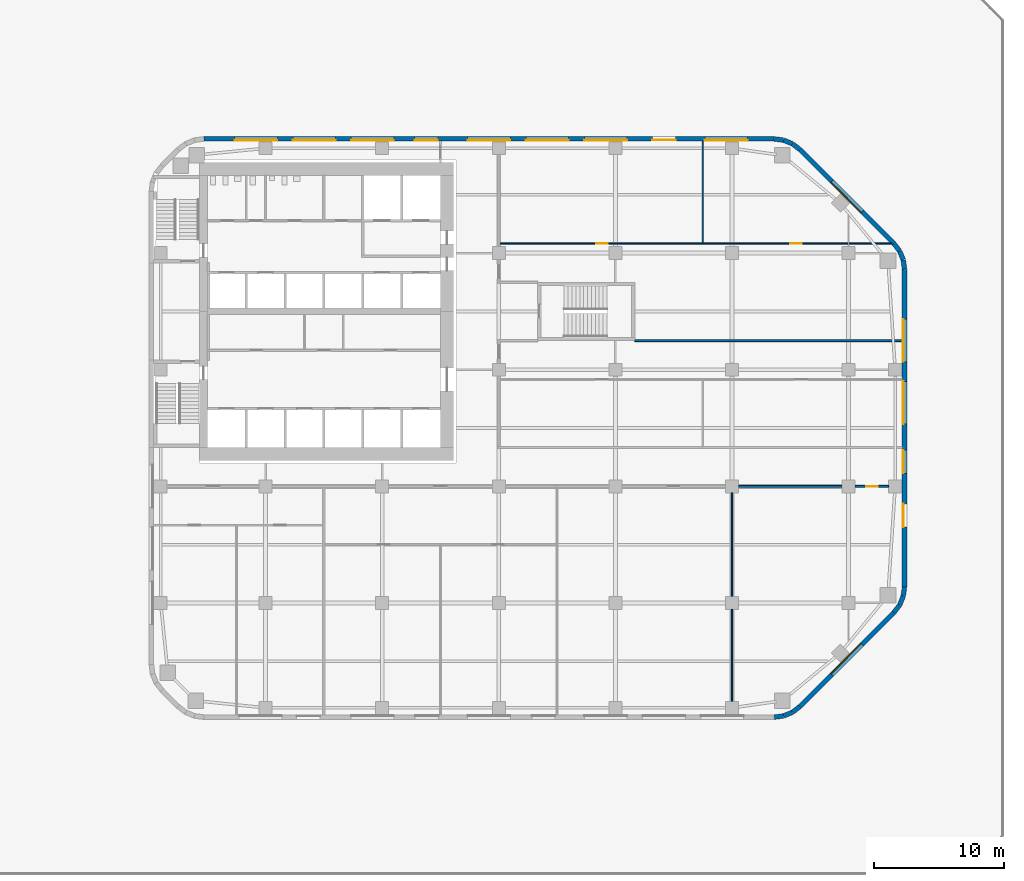
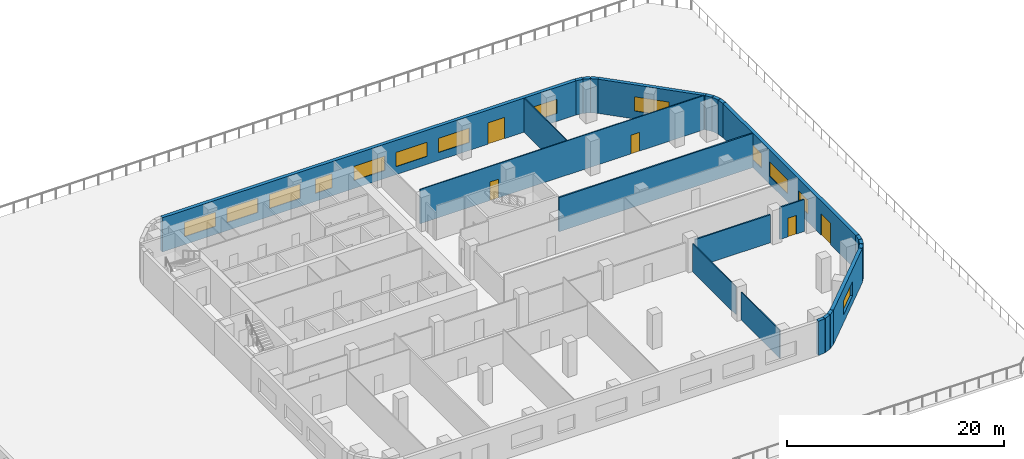
# One storey, part 12 of 18: 23 walls, 13 windows, 5 doors, 18 openings.
"""IFC4 building model written with IfcOpenShell, lengths in metres."""

from ifc_helpers import new_model, si_unit, direction, frame, frame_2d, origin, place, context, subcontext, project, spatial, rectangle, extrude, material, layer, layer_set, type_object, element, fill, save


model = new_model("IFC4")

# Units and contexts
model_context = context("Model", 3, precision=1e-05, world=origin(), true_north=direction((0.0, 1.0)))
body_context = subcontext(model_context, "Body", "Model", "MODEL_VIEW")
ifc_project = project(units=[si_unit("LENGTHUNIT", "METRE"), si_unit("AREAUNIT", "SQUARE_METRE"), si_unit("VOLUMEUNIT", "CUBIC_METRE"), si_unit("PLANEANGLEUNIT", "RADIAN"), si_unit("MASSUNIT", "GRAM", prefix="KILO")], contexts=[model_context])

# Site, building, storey
site_placement = place(None, origin())
site = spatial("IfcSite", under=ifc_project, at=site_placement, CompositionType="ELEMENT")
building_placement = place(site_placement, origin())
building = spatial("IfcBuilding", under=site, at=building_placement, Name="Cinnabar Reach Civic Tower", CompositionType="ELEMENT")
storey_placement = place(building_placement, frame((0.0, 0.0, 26.0)))
storey = spatial("IfcBuildingStorey", under=building, at=storey_placement, Name="L05", CompositionType="ELEMENT", Elevation=26.0)

# Walls
ifc_material_1 = material(Name="Facing brick with insulated backing", Category="masonry")
ifc_layer_1 = layer(ifc_material_1, 0.36)
ifc_layer_set_1 = layer_set([ifc_layer_1], Name="Brick corner wall")
wall_type_1 = type_object("IfcWallType", Name="Brick corner wall", PredefinedType="STANDARD", material=ifc_layer_set_1)
for number, where, z_axis, x_axis, name in (
    (1, (48.2686, 0.183, 0.0), (0.0, 0.0, 1.0), (0.99144092581, 0.13055608231, 0.0), "Brick corner wall"),
    (2, (48.9973, 0.2819, 0.0), (0.0, 0.0, 1.0), (0.923871547278, 0.382702709855, 0.0), "Brick corner wall"),
):
    element("IfcWall", number, at=place(storey_placement, frame(where, z_axis=z_axis, x_axis=x_axis)), inside=storey, type_object=wall_type_1, Name=name, PredefinedType="STANDARD", context=body_context, shape_type="SweptSolid", body=[
        extrude(rectangle(XDim=0.7131, YDim=0.36, at=frame_2d((0.3565, 0.0))), origin(), (0.0, 0.0, 1.0), 3.85),
    ])
for number, where, z_axis, x_axis, name in (
    (3, (49.6755, 0.566, 0.0), (0.0, 0.0, 1.0), (0.793321924995, 0.608802368033, 0.0), "Brick corner wall"),
    (4, (57.4998, 8.2587, 0.0), (0.0, 0.0, 1.0), (0.608802368033, 0.793321924995, 0.0), "Brick corner wall"),
):
    element("IfcWall", number, at=place(storey_placement, frame(where, z_axis=z_axis, x_axis=x_axis)), inside=storey, type_object=wall_type_1, Name=name, PredefinedType="STANDARD", context=body_context, shape_type="SweptSolid", body=[
        extrude(rectangle(XDim=0.7132, YDim=0.36, at=frame_2d((0.3566, 0.0))), origin(), (0.0, 0.0, 1.0), 3.85),
    ])
for number, where, z_axis, x_axis, name in (
    (5, (57.9452, 8.8439, 0.0), (0.0, 0.0, 1.0), (0.382702709855, 0.923871547278, 0.0), "Brick corner wall"),
    (6, (58.2239, 9.5244, 0.0), (0.0, 0.0, 1.0), (0.13055608231, 0.99144092581, 0.0), "Brick corner wall"),
    (7, (58.317, 34.7686, 0.0), (0.0, 0.0, 1.0), (-0.13055608231, 0.99144092581, 0.0), "Brick corner wall"),
    (8, (58.2181, 35.4973, 0.0), (0.0, 0.0, 1.0), (-0.382702709855, 0.923871547278, 0.0), "Brick corner wall"),
):
    element("IfcWall", number, at=place(storey_placement, frame(where, z_axis=z_axis, x_axis=x_axis)), inside=storey, type_object=wall_type_1, Name=name, PredefinedType="STANDARD", context=body_context, shape_type="SweptSolid", body=[
        extrude(rectangle(XDim=0.7131, YDim=0.36, at=frame_2d((0.3565, 0.0))), origin(), (0.0, 0.0, 1.0), 3.85),
    ])
for number, where, z_axis, x_axis, name in (
    (9, (57.934, 36.1755, 0.0), (0.0, 0.0, 1.0), (-0.608802368033, 0.793321924995, 0.0), "Brick corner wall"),
    (10, (50.2413, 43.9998, 0.0), (0.0, 0.0, 1.0), (-0.793321924995, 0.608802368033, 0.0), "Brick corner wall"),
):
    element("IfcWall", number, at=place(storey_placement, frame(where, z_axis=z_axis, x_axis=x_axis)), inside=storey, type_object=wall_type_1, Name=name, PredefinedType="STANDARD", context=body_context, shape_type="SweptSolid", body=[
        extrude(rectangle(XDim=0.7132, YDim=0.36, at=frame_2d((0.3566, 0.0))), origin(), (0.0, 0.0, 1.0), 3.85),
    ])
for number, where, z_axis, x_axis, name in (
    (11, (49.6561, 44.4452, 0.0), (0.0, 0.0, 1.0), (-0.923871547278, 0.382702709855, 0.0), "Brick corner wall"),
    (12, (48.9756, 44.7239, 0.0), (0.0, 0.0, 1.0), (-0.99144092581, 0.13055608231, 0.0), "Brick corner wall"),
):
    element("IfcWall", number, at=place(storey_placement, frame(where, z_axis=z_axis, x_axis=x_axis)), inside=storey, type_object=wall_type_1, Name=name, PredefinedType="STANDARD", context=body_context, shape_type="SweptSolid", body=[
        extrude(rectangle(XDim=0.7131, YDim=0.36, at=frame_2d((0.3565, 0.0))), origin(), (0.0, 0.0, 1.0), 3.85),
    ])

# Wall, opening, window
ifc_layer_2 = layer(ifc_material_1, 0.36)
ifc_layer_set_2 = layer_set([ifc_layer_2], Name="Brick pier and spandrel wall")
wall_type_2 = type_object("IfcWallType", Name="Brick pier and spandrel wall", PredefinedType="STANDARD", material=ifc_layer_set_2)
wall_1_placement = place(storey_placement, frame((50.2514, 1.006, 0.0), z_axis=(0.0, 0.0, 1.0), x_axis=(0.707106781187, 0.707106781187, 0.0)))
wall_1 = element("IfcWall", 13, at=wall_1_placement, inside=storey, type_object=wall_type_2, Name="Brick facade wall", PredefinedType="STANDARD", context=body_context, shape_type="SweptSolid", body=[
    extrude(rectangle(XDim=10.2426, YDim=0.36, at=frame_2d((5.1213, 0.0))), origin(), (0.0, 0.0, 1.0), 3.85),
])
opening_1_placement = place(wall_1_placement, frame((3.4713, 0.0, 0.9)))
opening_1 = element("IfcOpeningElement", 14, at=opening_1_placement, cuts=wall_1, Name="Opening W1008", PredefinedType="OPENING", context=body_context, shape_type="SweptSolid", body=[
    extrude(rectangle(XDim=3.3, YDim=1.6, at=frame_2d((1.65, 0.8))), frame((0.0, 0.19, 0.0), z_axis=(0.0, -1.0, 0.0), x_axis=(1.0, 0.0, 0.0)), (0.0, 0.0, 1.0), 0.38),
])
ifc_material_2 = material(Name="Clear double glazing in aluminium frame", Category="aluminium")
window_type_1 = type_object("IfcWindowType", Name="Deep-set window A", PartitioningType="SINGLE_PANEL", PredefinedType="WINDOW", material=ifc_material_2)
window_1_placement = place(opening_1_placement, origin())
window_1 = element("IfcWindow", 15, at=window_1_placement, inside=storey, type_object=window_type_1, Name="Window southeast face", OverallHeight=1.6, OverallWidth=3.3, PartitioningType="SINGLE_PANEL", PredefinedType="WINDOW", context=body_context, shape_type="SweptSolid", body=[
    extrude(rectangle(XDim=3.3, YDim=1.6, at=frame_2d((1.65, 0.8))), frame((0.0, 0.13, 0.0), z_axis=(0.0, -1.0, 0.0), x_axis=(1.0, 0.0, 0.0)), (0.0, 0.0, 1.0), 0.06),
])
fill(opening_1, window_1)

# Wall, openings, windows, door
wall_2_placement = place(storey_placement, frame((58.32, 10.2426, 0.0), z_axis=(0.0, 0.0, 1.0), x_axis=(0.0, 1.0, 0.0)))
wall_2 = element("IfcWall", 16, at=wall_2_placement, inside=storey, type_object=wall_type_2, Name="Brick facade wall", PredefinedType="STANDARD", context=body_context, shape_type="SweptSolid", body=[
    extrude(rectangle(XDim=24.5148, YDim=0.36, at=frame_2d((12.2574, 0.0))), origin(), (0.0, 0.0, 1.0), 3.85),
])
opening_2_placement = place(wall_2_placement, frame((4.6074, 0.0, 0.0)))
opening_2 = element("IfcOpeningElement", 17, at=opening_2_placement, cuts=wall_2, Name="Opening D7501", PredefinedType="OPENING", context=body_context, shape_type="SweptSolid", body=[
    extrude(rectangle(XDim=1.8, YDim=2.4, at=frame_2d((0.9, 1.2))), frame((0.0, 0.19, 0.0), z_axis=(0.0, -1.0, 0.0), x_axis=(1.0, 0.0, 0.0)), (0.0, 0.0, 1.0), 0.38),
])
opening_3_placement = place(wall_2_placement, frame((8.7574, 0.0, 0.9)))
opening_3 = element("IfcOpeningElement", 18, at=opening_3_placement, cuts=wall_2, Name="Opening W1009", PredefinedType="OPENING", context=body_context, shape_type="SweptSolid", body=[
    extrude(rectangle(XDim=1.8, YDim=1.6, at=frame_2d((0.9, 0.8))), frame((0.0, 0.19, 0.0), z_axis=(0.0, -1.0, 0.0), x_axis=(1.0, 0.0, 0.0)), (0.0, 0.0, 1.0), 0.38),
])
opening_4_placement = place(wall_2_placement, frame((12.5574, 0.0, 0.9)))
opening_4 = element("IfcOpeningElement", 19, at=opening_4_placement, cuts=wall_2, Name="Opening W1010", PredefinedType="OPENING", context=body_context, shape_type="SweptSolid", body=[
    extrude(rectangle(XDim=3.3, YDim=1.6, at=frame_2d((1.65, 0.8))), frame((0.0, 0.19, 0.0), z_axis=(0.0, -1.0, 0.0), x_axis=(1.0, 0.0, 0.0)), (0.0, 0.0, 1.0), 0.38),
])
opening_5_placement = place(wall_2_placement, frame((17.3574, 0.0, 0.9)))
opening_5 = element("IfcOpeningElement", 20, at=opening_5_placement, cuts=wall_2, Name="Opening W1011", PredefinedType="OPENING", context=body_context, shape_type="SweptSolid", body=[
    extrude(rectangle(XDim=3.3, YDim=1.6, at=frame_2d((1.65, 0.8))), frame((0.0, 0.19, 0.0), z_axis=(0.0, -1.0, 0.0), x_axis=(1.0, 0.0, 0.0)), (0.0, 0.0, 1.0), 0.38),
])
window_2_placement = place(opening_4_placement, origin())
window_2 = element("IfcWindow", 21, at=window_2_placement, inside=storey, type_object=window_type_1, Name="Window east face", OverallHeight=1.6, OverallWidth=3.3, PartitioningType="SINGLE_PANEL", PredefinedType="WINDOW", context=body_context, shape_type="SweptSolid", body=[
    extrude(rectangle(XDim=3.3, YDim=1.6, at=frame_2d((1.65, 0.8))), frame((0.0, 0.13, 0.0), z_axis=(0.0, -1.0, 0.0), x_axis=(1.0, 0.0, 0.0)), (0.0, 0.0, 1.0), 0.06),
])
fill(opening_4, window_2)
window_3_placement = place(opening_5_placement, origin())
window_3 = element("IfcWindow", 22, at=window_3_placement, inside=storey, type_object=window_type_1, Name="Window east face", OverallHeight=1.6, OverallWidth=3.3, PartitioningType="SINGLE_PANEL", PredefinedType="WINDOW", context=body_context, shape_type="SweptSolid", body=[
    extrude(rectangle(XDim=3.3, YDim=1.6, at=frame_2d((1.65, 0.8))), frame((0.0, 0.13, 0.0), z_axis=(0.0, -1.0, 0.0), x_axis=(1.0, 0.0, 0.0)), (0.0, 0.0, 1.0), 0.06),
])
fill(opening_5, window_3)
window_type_2 = type_object("IfcWindowType", Name="Deep-set window D", PartitioningType="SINGLE_PANEL", PredefinedType="WINDOW", material=ifc_material_2)
window_4_placement = place(opening_3_placement, origin())
window_4 = element("IfcWindow", 23, at=window_4_placement, inside=storey, type_object=window_type_2, Name="Window east face", OverallHeight=1.6, OverallWidth=1.8, PartitioningType="SINGLE_PANEL", PredefinedType="WINDOW", context=body_context, shape_type="SweptSolid", body=[
    extrude(rectangle(XDim=1.8, YDim=1.6, at=frame_2d((0.9, 0.8))), frame((0.0, 0.13, 0.0), z_axis=(0.0, -1.0, 0.0), x_axis=(1.0, 0.0, 0.0)), (0.0, 0.0, 1.0), 0.06),
])
fill(opening_3, window_4)
ifc_material_3 = material(Name="Clear glazing in aluminium frame", Category="aluminium")
door_type_1 = type_object("IfcDoorType", Name="Facade terrace double door", OperationType="SINGLE_SWING_LEFT", PredefinedType="DOOR", material=ifc_material_3)
door_1_placement = place(opening_2_placement, frame((1.8, 0.0, 0.0), z_axis=(0.0, 0.0, 1.0), x_axis=(-1.0, 0.0, 0.0)))
door_1 = element("IfcDoor", 24, at=door_1_placement, inside=storey, type_object=door_type_1, Name="Terrace door", OperationType="DOUBLE_DOOR_SINGLE_SWING", OverallHeight=2.4, OverallWidth=1.8, PredefinedType="DOOR", context=body_context, shape_type="SweptSolid", body=[
    extrude(rectangle(XDim=1.8, YDim=2.4, at=frame_2d((0.9, 1.2))), frame((0.0, -0.07, 0.0), z_axis=(0.0, -1.0, 0.0), x_axis=(1.0, 0.0, 0.0)), (0.0, 0.0, 1.0), 0.05),
])
fill(opening_2, door_1)

# Wall, opening, window
wall_3_placement = place(storey_placement, frame((57.494, 36.7514, 0.0), z_axis=(0.0, 0.0, 1.0), x_axis=(-0.707106781187, 0.707106781187, 0.0)))
wall_3 = element("IfcWall", 25, at=wall_3_placement, inside=storey, type_object=wall_type_2, Name="Brick facade wall", PredefinedType="STANDARD", context=body_context, shape_type="SweptSolid", body=[
    extrude(rectangle(XDim=10.2426, YDim=0.36, at=frame_2d((5.1213, 0.0))), origin(), (0.0, 0.0, 1.0), 3.85),
])
opening_6_placement = place(wall_3_placement, frame((3.4713, 0.0, 0.9)))
opening_6 = element("IfcOpeningElement", 26, at=opening_6_placement, cuts=wall_3, Name="Opening W1012", PredefinedType="OPENING", context=body_context, shape_type="SweptSolid", body=[
    extrude(rectangle(XDim=3.3, YDim=1.6, at=frame_2d((1.65, 0.8))), frame((0.0, 0.19, 0.0), z_axis=(0.0, -1.0, 0.0), x_axis=(1.0, 0.0, 0.0)), (0.0, 0.0, 1.0), 0.38),
])
window_5_placement = place(opening_6_placement, origin())
window_5 = element("IfcWindow", 27, at=window_5_placement, inside=storey, type_object=window_type_1, Name="Window northeast face", OverallHeight=1.6, OverallWidth=3.3, PartitioningType="SINGLE_PANEL", PredefinedType="WINDOW", context=body_context, shape_type="SweptSolid", body=[
    extrude(rectangle(XDim=3.3, YDim=1.6, at=frame_2d((1.65, 0.8))), frame((0.0, 0.13, 0.0), z_axis=(0.0, -1.0, 0.0), x_axis=(1.0, 0.0, 0.0)), (0.0, 0.0, 1.0), 0.06),
])
fill(opening_6, window_5)

# Wall, openings, windows, door
wall_4_placement = place(storey_placement, frame((48.2574, 44.82, 0.0), z_axis=(0.0, 0.0, 1.0), x_axis=(-1.0, 0.0, 0.0)))
wall_4 = element("IfcWall", 28, at=wall_4_placement, inside=storey, type_object=wall_type_2, Name="Brick facade wall", PredefinedType="STANDARD", context=body_context, shape_type="SweptSolid", body=[
    extrude(rectangle(XDim=44.0148, YDim=0.36, at=frame_2d((22.0074, 0.0))), origin(), (0.0, 0.0, 1.0), 3.85),
])
opening_7_placement = place(wall_4_placement, frame((2.0574, 0.0, 0.9)))
opening_7 = element("IfcOpeningElement", 29, at=opening_7_placement, cuts=wall_4, Name="Opening W1013", PredefinedType="OPENING", context=body_context, shape_type="SweptSolid", body=[
    extrude(rectangle(XDim=3.3, YDim=1.6, at=frame_2d((1.65, 0.8))), frame((0.0, 0.19, 0.0), z_axis=(0.0, -1.0, 0.0), x_axis=(1.0, 0.0, 0.0)), (0.0, 0.0, 1.0), 0.38),
])
opening_8_placement = place(wall_4_placement, frame((7.6074, 0.0, 0.0)))
opening_8 = element("IfcOpeningElement", 30, at=opening_8_placement, cuts=wall_4, Name="Opening D7502", PredefinedType="OPENING", context=body_context, shape_type="SweptSolid", body=[
    extrude(rectangle(XDim=1.8, YDim=2.4, at=frame_2d((0.9, 1.2))), frame((0.0, 0.19, 0.0), z_axis=(0.0, -1.0, 0.0), x_axis=(1.0, 0.0, 0.0)), (0.0, 0.0, 1.0), 0.38),
])
opening_9_placement = place(wall_4_placement, frame((11.3574, 0.0, 0.9)))
opening_9 = element("IfcOpeningElement", 31, at=opening_9_placement, cuts=wall_4, Name="Opening W1014", PredefinedType="OPENING", context=body_context, shape_type="SweptSolid", body=[
    extrude(rectangle(XDim=3.3, YDim=1.6, at=frame_2d((1.65, 0.8))), frame((0.0, 0.19, 0.0), z_axis=(0.0, -1.0, 0.0), x_axis=(1.0, 0.0, 0.0)), (0.0, 0.0, 1.0), 0.38),
])
opening_10_placement = place(wall_4_placement, frame((15.8574, 0.0, 0.9)))
opening_10 = element("IfcOpeningElement", 32, at=opening_10_placement, cuts=wall_4, Name="Opening W1015", PredefinedType="OPENING", context=body_context, shape_type="SweptSolid", body=[
    extrude(rectangle(XDim=3.3, YDim=1.6, at=frame_2d((1.65, 0.8))), frame((0.0, 0.19, 0.0), z_axis=(0.0, -1.0, 0.0), x_axis=(1.0, 0.0, 0.0)), (0.0, 0.0, 1.0), 0.38),
])
opening_11_placement = place(wall_4_placement, frame((20.3574, 0.0, 0.9)))
opening_11 = element("IfcOpeningElement", 33, at=opening_11_placement, cuts=wall_4, Name="Opening W1016", PredefinedType="OPENING", context=body_context, shape_type="SweptSolid", body=[
    extrude(rectangle(XDim=3.3, YDim=1.6, at=frame_2d((1.65, 0.8))), frame((0.0, 0.19, 0.0), z_axis=(0.0, -1.0, 0.0), x_axis=(1.0, 0.0, 0.0)), (0.0, 0.0, 1.0), 0.38),
])
opening_12_placement = place(wall_4_placement, frame((25.9574, 0.0, 0.9)))
opening_12 = element("IfcOpeningElement", 34, at=opening_12_placement, cuts=wall_4, Name="Opening W1017", PredefinedType="OPENING", context=body_context, shape_type="SweptSolid", body=[
    extrude(rectangle(XDim=1.8, YDim=1.6, at=frame_2d((0.9, 0.8))), frame((0.0, 0.19, 0.0), z_axis=(0.0, -1.0, 0.0), x_axis=(1.0, 0.0, 0.0)), (0.0, 0.0, 1.0), 0.38),
])
opening_13_placement = place(wall_4_placement, frame((29.3574, 0.0, 0.9)))
opening_13 = element("IfcOpeningElement", 35, at=opening_13_placement, cuts=wall_4, Name="Opening W1018", PredefinedType="OPENING", context=body_context, shape_type="SweptSolid", body=[
    extrude(rectangle(XDim=3.3, YDim=1.6, at=frame_2d((1.65, 0.8))), frame((0.0, 0.19, 0.0), z_axis=(0.0, -1.0, 0.0), x_axis=(1.0, 0.0, 0.0)), (0.0, 0.0, 1.0), 0.38),
])
opening_14_placement = place(wall_4_placement, frame((33.8574, 0.0, 0.9)))
opening_14 = element("IfcOpeningElement", 36, at=opening_14_placement, cuts=wall_4, Name="Opening W1019", PredefinedType="OPENING", context=body_context, shape_type="SweptSolid", body=[
    extrude(rectangle(XDim=3.3, YDim=1.6, at=frame_2d((1.65, 0.8))), frame((0.0, 0.19, 0.0), z_axis=(0.0, -1.0, 0.0), x_axis=(1.0, 0.0, 0.0)), (0.0, 0.0, 1.0), 0.38),
])
opening_15_placement = place(wall_4_placement, frame((38.3574, 0.0, 0.9)))
opening_15 = element("IfcOpeningElement", 37, at=opening_15_placement, cuts=wall_4, Name="Opening W1020", PredefinedType="OPENING", context=body_context, shape_type="SweptSolid", body=[
    extrude(rectangle(XDim=3.3, YDim=1.6, at=frame_2d((1.65, 0.8))), frame((0.0, 0.19, 0.0), z_axis=(0.0, -1.0, 0.0), x_axis=(1.0, 0.0, 0.0)), (0.0, 0.0, 1.0), 0.38),
])
window_6_placement = place(opening_7_placement, origin())
window_6 = element("IfcWindow", 38, at=window_6_placement, inside=storey, type_object=window_type_1, Name="Window north face", OverallHeight=1.6, OverallWidth=3.3, PartitioningType="SINGLE_PANEL", PredefinedType="WINDOW", context=body_context, shape_type="SweptSolid", body=[
    extrude(rectangle(XDim=3.3, YDim=1.6, at=frame_2d((1.65, 0.8))), frame((0.0, 0.13, 0.0), z_axis=(0.0, -1.0, 0.0), x_axis=(1.0, 0.0, 0.0)), (0.0, 0.0, 1.0), 0.06),
])
fill(opening_7, window_6)
window_7_placement = place(opening_9_placement, origin())
window_7 = element("IfcWindow", 39, at=window_7_placement, inside=storey, type_object=window_type_1, Name="Window north face", OverallHeight=1.6, OverallWidth=3.3, PartitioningType="SINGLE_PANEL", PredefinedType="WINDOW", context=body_context, shape_type="SweptSolid", body=[
    extrude(rectangle(XDim=3.3, YDim=1.6, at=frame_2d((1.65, 0.8))), frame((0.0, 0.13, 0.0), z_axis=(0.0, -1.0, 0.0), x_axis=(1.0, 0.0, 0.0)), (0.0, 0.0, 1.0), 0.06),
])
fill(opening_9, window_7)
window_8_placement = place(opening_10_placement, origin())
window_8 = element("IfcWindow", 40, at=window_8_placement, inside=storey, type_object=window_type_1, Name="Window north face", OverallHeight=1.6, OverallWidth=3.3, PartitioningType="SINGLE_PANEL", PredefinedType="WINDOW", context=body_context, shape_type="SweptSolid", body=[
    extrude(rectangle(XDim=3.3, YDim=1.6, at=frame_2d((1.65, 0.8))), frame((0.0, 0.13, 0.0), z_axis=(0.0, -1.0, 0.0), x_axis=(1.0, 0.0, 0.0)), (0.0, 0.0, 1.0), 0.06),
])
fill(opening_10, window_8)
window_9_placement = place(opening_11_placement, origin())
window_9 = element("IfcWindow", 41, at=window_9_placement, inside=storey, type_object=window_type_1, Name="Window north face", OverallHeight=1.6, OverallWidth=3.3, PartitioningType="SINGLE_PANEL", PredefinedType="WINDOW", context=body_context, shape_type="SweptSolid", body=[
    extrude(rectangle(XDim=3.3, YDim=1.6, at=frame_2d((1.65, 0.8))), frame((0.0, 0.13, 0.0), z_axis=(0.0, -1.0, 0.0), x_axis=(1.0, 0.0, 0.0)), (0.0, 0.0, 1.0), 0.06),
])
fill(opening_11, window_9)
window_10_placement = place(opening_13_placement, origin())
window_10 = element("IfcWindow", 42, at=window_10_placement, inside=storey, type_object=window_type_1, Name="Window north face", OverallHeight=1.6, OverallWidth=3.3, PartitioningType="SINGLE_PANEL", PredefinedType="WINDOW", context=body_context, shape_type="SweptSolid", body=[
    extrude(rectangle(XDim=3.3, YDim=1.6, at=frame_2d((1.65, 0.8))), frame((0.0, 0.13, 0.0), z_axis=(0.0, -1.0, 0.0), x_axis=(1.0, 0.0, 0.0)), (0.0, 0.0, 1.0), 0.06),
])
fill(opening_13, window_10)
window_11_placement = place(opening_14_placement, origin())
window_11 = element("IfcWindow", 43, at=window_11_placement, inside=storey, type_object=window_type_1, Name="Window north face", OverallHeight=1.6, OverallWidth=3.3, PartitioningType="SINGLE_PANEL", PredefinedType="WINDOW", context=body_context, shape_type="SweptSolid", body=[
    extrude(rectangle(XDim=3.3, YDim=1.6, at=frame_2d((1.65, 0.8))), frame((0.0, 0.13, 0.0), z_axis=(0.0, -1.0, 0.0), x_axis=(1.0, 0.0, 0.0)), (0.0, 0.0, 1.0), 0.06),
])
fill(opening_14, window_11)
window_12_placement = place(opening_15_placement, origin())
window_12 = element("IfcWindow", 44, at=window_12_placement, inside=storey, type_object=window_type_1, Name="Window north face", OverallHeight=1.6, OverallWidth=3.3, PartitioningType="SINGLE_PANEL", PredefinedType="WINDOW", context=body_context, shape_type="SweptSolid", body=[
    extrude(rectangle(XDim=3.3, YDim=1.6, at=frame_2d((1.65, 0.8))), frame((0.0, 0.13, 0.0), z_axis=(0.0, -1.0, 0.0), x_axis=(1.0, 0.0, 0.0)), (0.0, 0.0, 1.0), 0.06),
])
fill(opening_15, window_12)
window_13_placement = place(opening_12_placement, origin())
window_13 = element("IfcWindow", 45, at=window_13_placement, inside=storey, type_object=window_type_2, Name="Window north face", OverallHeight=1.6, OverallWidth=1.8, PartitioningType="SINGLE_PANEL", PredefinedType="WINDOW", context=body_context, shape_type="SweptSolid", body=[
    extrude(rectangle(XDim=1.8, YDim=1.6, at=frame_2d((0.9, 0.8))), frame((0.0, 0.13, 0.0), z_axis=(0.0, -1.0, 0.0), x_axis=(1.0, 0.0, 0.0)), (0.0, 0.0, 1.0), 0.06),
])
fill(opening_12, window_13)
door_2_placement = place(opening_8_placement, frame((1.8, 0.0, 0.0), z_axis=(0.0, 0.0, 1.0), x_axis=(-1.0, 0.0, 0.0)))
door_2 = element("IfcDoor", 46, at=door_2_placement, inside=storey, type_object=door_type_1, Name="Terrace door", OperationType="DOUBLE_DOOR_SINGLE_SWING", OverallHeight=2.4, OverallWidth=1.8, PredefinedType="DOOR", context=body_context, shape_type="SweptSolid", body=[
    extrude(rectangle(XDim=1.8, YDim=2.4, at=frame_2d((0.9, 1.2))), frame((0.0, -0.07, 0.0), z_axis=(0.0, -1.0, 0.0), x_axis=(1.0, 0.0, 0.0)), (0.0, 0.0, 1.0), 0.05),
])
fill(opening_8, door_2)

# Wall, opening, door
ifc_material_4 = material(Name="Gypsum board on steel studs, double layer", Category="steel")
ifc_layer_3 = layer(ifc_material_4, 0.15)
ifc_layer_set_3 = layer_set([ifc_layer_3], Name="Corridor wall 150 T1")
wall_type_3 = type_object("IfcWallType", Name="Corridor wall 150 T1", PredefinedType="PARTITIONING", material=ifc_layer_set_3)
wall_5_placement = place(storey_placement, frame((54.5, 18.0, 0.0), z_axis=(0.0, 0.0, 1.0), x_axis=(1.0, 0.0, 0.0)))
wall_5 = element("IfcWall", 47, at=wall_5_placement, inside=storey, type_object=wall_type_3, Name="Corridor wall 19", PredefinedType="PARTITIONING", context=body_context, shape_type="SweptSolid", body=[
    extrude(rectangle(XDim=2.6, YDim=0.15, at=frame_2d((1.3, 0.0))), origin(), (0.0, 0.0, 1.0), 3.602),
])
opening_16_placement = place(wall_5_placement, frame((0.85, 0.0, 0.0)))
opening_16 = element("IfcOpeningElement", 48, at=opening_16_placement, cuts=wall_5, Name="Opening D3230", PredefinedType="OPENING", context=body_context, shape_type="SweptSolid", body=[
    extrude(rectangle(XDim=0.9, YDim=2.1, at=frame_2d((0.45, 1.05))), frame((0.0, 0.085, 0.0), z_axis=(0.0, -1.0, 0.0), x_axis=(1.0, 0.0, 0.0)), (0.0, 0.0, 1.0), 0.17),
])
ifc_material_5 = material(Name="Timber door leaf in steel frame", Category="steel")
door_type_2 = type_object("IfcDoorType", Name="Single swing door 900 x 2100 corridor T1", OperationType="SINGLE_SWING_LEFT", PredefinedType="DOOR", material=ifc_material_5)
door_3_placement = place(opening_16_placement, frame((0.9, 0.0, 0.0), z_axis=(0.0, 0.0, 1.0), x_axis=(-1.0, 0.0, 0.0)))
door_3 = element("IfcDoor", 49, at=door_3_placement, inside=storey, type_object=door_type_2, Name="Door D3230", OperationType="SINGLE_SWING_LEFT", OverallHeight=2.1, OverallWidth=0.9, PredefinedType="DOOR", context=body_context, shape_type="SweptSolid", body=[
    extrude(rectangle(XDim=0.9, YDim=2.1, at=frame_2d((0.45, 1.05))), frame((0.0, 0.025, 0.0), z_axis=(0.0, -1.0, 0.0), x_axis=(1.0, 0.0, 0.0)), (0.0, 0.0, 1.0), 0.05),
])
fill(opening_16, door_3)

# Wall
wall_6_placement = place(storey_placement, frame((45.5, 18.0, 0.0), z_axis=(0.0, 0.0, 1.0), x_axis=(1.0, 0.0, 0.0)))
element("IfcWall", 50, at=wall_6_placement, inside=storey, type_object=wall_type_3, Name="Corridor wall 20", PredefinedType="PARTITIONING", context=body_context, shape_type="SweptSolid", body=[
    extrude(rectangle(XDim=8.0, YDim=0.15, at=frame_2d((4.0, 0.0))), origin(), (0.0, 0.0, 1.0), 3.15),
])

# Wall, openings, doors
ifc_material_6 = material(Name="Gypsum board on steel studs", Category="steel")
ifc_layer_4 = layer(ifc_material_6, 0.1)
ifc_layer_set_4 = layer_set([ifc_layer_4], Name="Partition wall 100 T1")
wall_type_4 = type_object("IfcWallType", Name="Partition wall 100 T1", PredefinedType="PARTITIONING", material=ifc_layer_set_4)
wall_7_placement = place(storey_placement, frame((27.075, 36.75, 0.0), z_axis=(0.0, 0.0, 1.0), x_axis=(1.0, 0.0, 0.0)))
wall_7 = element("IfcWall", 51, at=wall_7_placement, inside=storey, type_object=wall_type_4, Name="Partition wall 43", PredefinedType="PARTITIONING", context=body_context, shape_type="SweptSolid", body=[
    extrude(rectangle(XDim=30.2159, YDim=0.1, at=frame_2d((15.108, 0.0))), origin(), (0.0, 0.0, 1.0), 3.85),
])
opening_17_placement = place(wall_7_placement, frame((7.45, 0.0, 0.0)))
opening_17 = element("IfcOpeningElement", 52, at=opening_17_placement, cuts=wall_7, Name="Opening D3218", PredefinedType="OPENING", context=body_context, shape_type="SweptSolid", body=[
    extrude(rectangle(XDim=0.9, YDim=2.1, at=frame_2d((0.45, 1.05))), frame((0.0, 0.06, 0.0), z_axis=(0.0, -1.0, 0.0), x_axis=(1.0, 0.0, 0.0)), (0.0, 0.0, 1.0), 0.12),
])
opening_18_placement = place(wall_7_placement, frame((22.425, 0.0, 0.0)))
opening_18 = element("IfcOpeningElement", 53, at=opening_18_placement, cuts=wall_7, Name="Opening D3219", PredefinedType="OPENING", context=body_context, shape_type="SweptSolid", body=[
    extrude(rectangle(XDim=0.9, YDim=2.1, at=frame_2d((0.45, 1.05))), frame((0.0, 0.06, 0.0), z_axis=(0.0, -1.0, 0.0), x_axis=(1.0, 0.0, 0.0)), (0.0, 0.0, 1.0), 0.12),
])
door_type_3 = type_object("IfcDoorType", Name="Single swing door 900 x 2100 T1", OperationType="SINGLE_SWING_LEFT", PredefinedType="DOOR", material=ifc_material_5)
door_4_placement = place(opening_17_placement, origin())
door_4 = element("IfcDoor", 54, at=door_4_placement, inside=storey, type_object=door_type_3, Name="Door D3218", OperationType="SINGLE_SWING_RIGHT", OverallHeight=2.1, OverallWidth=0.9, PredefinedType="DOOR", context=body_context, shape_type="SweptSolid", body=[
    extrude(rectangle(XDim=0.9, YDim=2.1, at=frame_2d((0.45, 1.05))), frame((0.0, 0.025, 0.0), z_axis=(0.0, -1.0, 0.0), x_axis=(1.0, 0.0, 0.0)), (0.0, 0.0, 1.0), 0.05),
])
fill(opening_17, door_4)
door_5_placement = place(opening_18_placement, origin())
door_5 = element("IfcDoor", 55, at=door_5_placement, inside=storey, type_object=door_type_3, Name="Door D3219", OperationType="SINGLE_SWING_LEFT", OverallHeight=2.1, OverallWidth=0.9, PredefinedType="DOOR", context=body_context, shape_type="SweptSolid", body=[
    extrude(rectangle(XDim=0.9, YDim=2.1, at=frame_2d((0.45, 1.05))), frame((0.0, 0.025, 0.0), z_axis=(0.0, -1.0, 0.0), x_axis=(1.0, 0.0, 0.0)), (0.0, 0.0, 1.0), 0.05),
])
fill(opening_18, door_5)

# Walls
wall_8_placement = place(storey_placement, frame((45.0, 1.4, 0.0), z_axis=(0.0, 0.0, 1.0), x_axis=(0.0, 1.0, 0.0)))
element("IfcWall", 56, at=wall_8_placement, inside=storey, type_object=wall_type_4, Name="Partition wall 47", PredefinedType="PARTITIONING", context=body_context, shape_type="SweptSolid", body=[
    extrude(rectangle(XDim=7.1, YDim=0.1, at=frame_2d((3.55, 0.0))), origin(), (0.0, 0.0, 1.0), 3.158),
])
wall_9_placement = place(storey_placement, frame((45.0, 9.5, 0.0), z_axis=(0.0, 0.0, 1.0), x_axis=(0.0, 1.0, 0.0)))
element("IfcWall", 57, at=wall_9_placement, inside=storey, type_object=wall_type_4, Name="Partition wall 48", PredefinedType="PARTITIONING", context=body_context, shape_type="SweptSolid", body=[
    extrude(rectangle(XDim=8.0, YDim=0.1, at=frame_2d((4.0, 0.0))), origin(), (0.0, 0.0, 1.0), 3.158),
])
wall_10_placement = place(storey_placement, frame((42.75, 36.8, 0.0), z_axis=(0.0, 0.0, 1.0), x_axis=(0.0, 1.0, 0.0)))
element("IfcWall", 58, at=wall_10_placement, inside=storey, type_object=wall_type_4, Name="Partition wall 53", PredefinedType="PARTITIONING", context=body_context, shape_type="SweptSolid", body=[
    extrude(rectangle(XDim=7.84, YDim=0.1, at=frame_2d((3.92, 0.0))), origin(), (0.0, 0.0, 1.0), 3.85),
])
ifc_layer_5 = layer(ifc_material_4, 0.15)
ifc_layer_set_5 = layer_set([ifc_layer_5], Name="Tenancy separating wall 150 T1")
wall_type_5 = type_object("IfcWallType", Name="Tenancy separating wall 150 T1", PredefinedType="PARTITIONING", material=ifc_layer_set_5)
wall_11_placement = place(storey_placement, frame((37.5, 29.25, 0.0), z_axis=(0.0, 0.0, 1.0), x_axis=(1.0, 0.0, 0.0)))
element("IfcWall", 59, at=wall_11_placement, inside=storey, type_object=wall_type_5, Name="Tenancy separating wall 40", PredefinedType="PARTITIONING", context=body_context, shape_type="SweptSolid", body=[
    extrude(rectangle(XDim=20.64, YDim=0.15, at=frame_2d((10.32, 0.0))), origin(), (0.0, 0.0, 1.0), 3.85),
])

save(model, "model.ifc")
